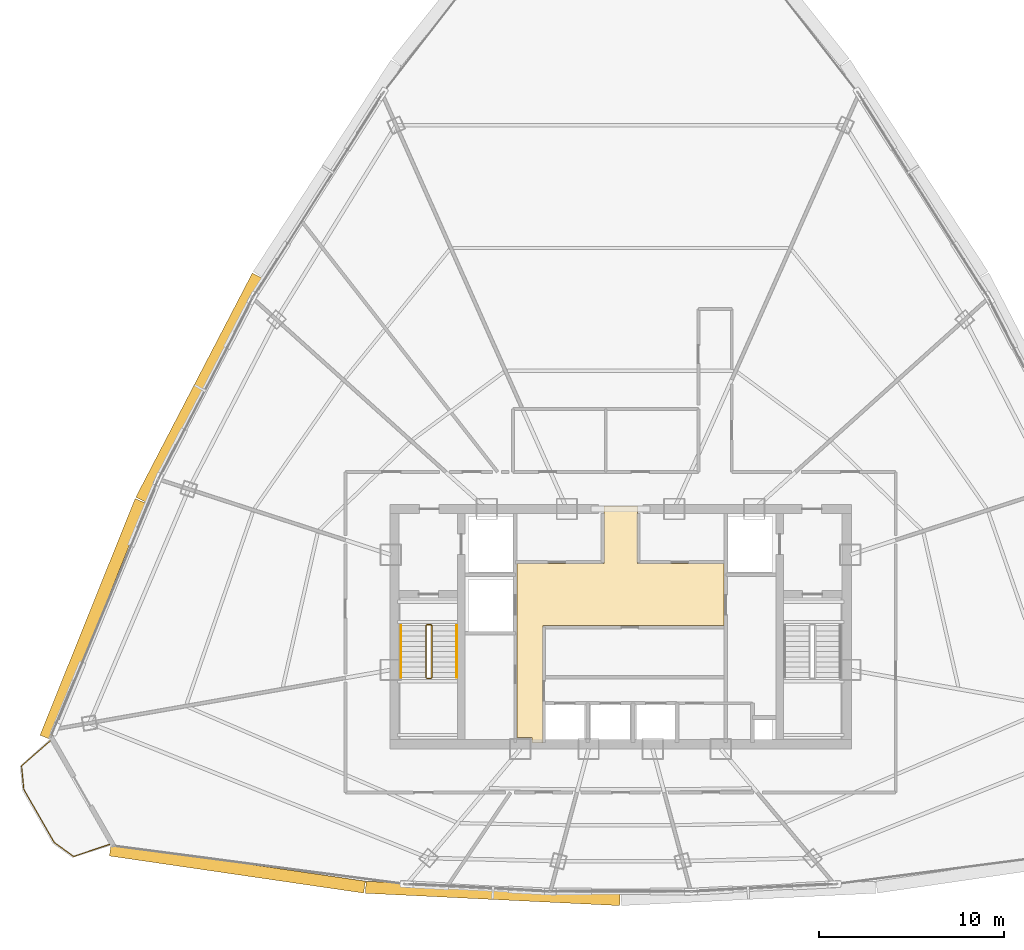
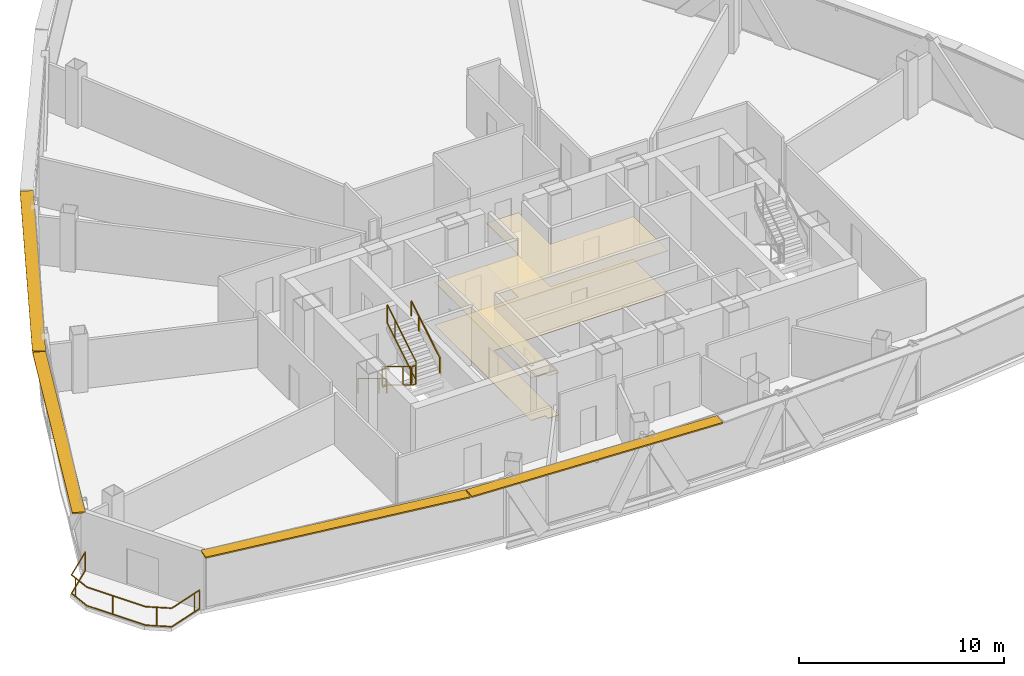
# One storey, part 33 of 35: 7 railings, 4 shading devices, 2 coverings.
"""IFC4 building model written with IfcOpenShell, lengths in metres."""

from ifc_helpers import new_model, si_unit, direction, frame, origin, origin_2d, place, context, subcontext, project, spatial, polyline, rectangle, outline, extrude, source, transform, mapped, material, layer, layer_set, type_object, element, save


model = new_model("IFC4")

# Units and contexts
model_context = context("Model", 3, precision=1e-05, world=origin(), true_north=direction((0.0, 1.0)))
body_context = subcontext(model_context, "Body", "Model", "MODEL_VIEW")
ifc_project = project(units=[si_unit("LENGTHUNIT", "METRE"), si_unit("AREAUNIT", "SQUARE_METRE"), si_unit("VOLUMEUNIT", "CUBIC_METRE"), si_unit("PLANEANGLEUNIT", "RADIAN"), si_unit("MASSUNIT", "GRAM", prefix="KILO"), si_unit("THERMODYNAMICTEMPERATUREUNIT", "KELVIN"), si_unit("POWERUNIT", "WATT")], contexts=[model_context])

# Site, building, storey
site_placement = place(None, origin())
site = spatial("IfcSite", under=ifc_project, at=site_placement, CompositionType="ELEMENT")
building_placement = place(site_placement, origin())
building = spatial("IfcBuilding", under=site, at=building_placement, Name="Yunzhuo Pagoda Commons", CompositionType="ELEMENT")
storey_placement = place(building_placement, frame((0.0, 0.0, 299.93994140625)))
storey = spatial("IfcBuildingStorey", under=building, at=storey_placement, Name="L75", CompositionType="ELEMENT", Elevation=299.93994140625)

# Coverings
ifc_material_1 = material(Name="Micro-perforated metal baffle ceiling")
ifc_layer_1 = layer(ifc_material_1, 0.034912109375)
ifc_layer_set_1 = layer_set([ifc_layer_1], Name="Micro-perforated metal baffle ceiling")
covering_type_1 = type_object("IfcCoveringType", Name="COV-CL3 Ceiling 35", PredefinedType="CEILING", material=ifc_layer_set_1)
covering_1_placement = place(storey_placement, frame((0.0, 0.0, 2.52001953125)))
element("IfcCovering", 1, at=covering_1_placement, inside=storey, type_object=covering_type_1, Name="L75 lift lobby acoustic ceiling", PredefinedType="CEILING", context=body_context, shape_type="SweptSolid", body=[
    extrude(outline(polyline([(43.207763671875, 27.85009765625), (43.201904296875, 27.864013671875), (43.187744140625, 27.8701171875), (42.39990234375, 27.8701171875), (42.39990234375, 33.89990234375), (42.39990234375, 37.25), (47.10009765625, 37.25), (47.10009765625, 40.35009765625), (48.89990234375, 40.35009765625), (48.89990234375, 37.25), (53.580078125, 37.25), (53.580078125, 33.89990234375), (43.820068359375, 33.89990234375), (43.820068359375, 27.60009765625), (43.207763671875, 27.60009765625), (43.207763671875, 27.85009765625)])), origin(), (0.0, 0.0, 1.0), 0.03515625),
])
ifc_material_2 = material(Name="Resilient acoustic studio flooring")
ifc_layer_2 = layer(ifc_material_2, 0.01806640625)
ifc_layer_set_2 = layer_set([ifc_layer_2], Name="Resilient acoustic studio flooring")
covering_type_2 = type_object("IfcCoveringType", Name="COV-FL3 Flooring 18", PredefinedType="FLOORING", material=ifc_layer_set_2)
covering_2_placement = place(storey_placement, origin())
element("IfcCovering", 2, at=covering_2_placement, inside=storey, type_object=covering_type_2, Name="L75 lift lobby flooring", PredefinedType="FLOORING", context=body_context, shape_type="SweptSolid", body=[
    extrude(outline(polyline([(43.207763671875, 27.85009765625), (43.201904296875, 27.864013671875), (43.187744140625, 27.8701171875), (42.39990234375, 27.8701171875), (42.39990234375, 33.89990234375), (42.39990234375, 37.25), (47.10009765625, 37.25), (47.10009765625, 40.35009765625), (48.89990234375, 40.35009765625), (48.89990234375, 37.25), (53.580078125, 37.25), (53.580078125, 33.89990234375), (43.820068359375, 33.89990234375), (43.820068359375, 27.60009765625), (43.207763671875, 27.60009765625), (43.207763671875, 27.85009765625)])), origin(), (0.0, 0.0, 1.0), 0.01806640625),
])

# Railings
ifc_material_3 = material(Name="Anodized aluminium 6063-T6", Category="aluminium")
railing_type_1 = type_object("IfcRailingType", Name="GR-ST1 Stair Well Guardrail 1150", PredefinedType="GUARDRAIL", material=ifc_material_3)
railing_1_placement = place(storey_placement, frame((37.5, 33.89990234375, 0.169677734375)))
element("IfcRailing", 3, at=railing_1_placement, inside=storey, type_object=railing_type_1, Name="L75 ST1 stair guard 1", PredefinedType="GUARDRAIL", context=body_context, shape_type="SweptSolid", body=[
    extrude(rectangle(XDim=0.048095703125, YDim=0.048095703125, at=origin_2d()), frame((0.0, 0.0, 1.1259765625), z_axis=(0.0, -0.855406155521, 0.517957825596), x_axis=(1.0, 0.0, 0.0)), (0.0, 0.0, 1.0), 3.27294921875),
    extrude(rectangle(XDim=0.048095703125, YDim=0.048095703125, at=origin_2d()), frame((0.0, 0.0, 0.02392578125), z_axis=(0.0, -0.855406155521, 0.517957825596), x_axis=(1.0, 0.0, 0.0)), (0.0, 0.0, 1.0), 3.27294921875),
    extrude(rectangle(XDim=0.0419921875, YDim=0.0419921875, at=origin_2d()), origin(), (0.0, 0.0, 1.0), 1.101806640625),
    extrude(rectangle(XDim=0.0419921875, YDim=0.0419921875, at=origin_2d()), frame((0.0, -2.052978515625, 1.2431640625)), (0.0, 0.0, 1.0), 1.101806640625),
    extrude(rectangle(XDim=0.0419921875, YDim=0.0419921875, at=origin_2d()), frame((0.0, -2.7998046875, 1.6953125)), (0.0, 0.0, 1.0), 1.101806640625),
])
railing_2_placement = place(storey_placement, frame((37.550048828125, 31.050048828125, 1.864990234375)))
element("IfcRailing", 4, at=railing_2_placement, inside=storey, type_object=railing_type_1, Name="L75 ST1 stair guard 2", PredefinedType="GUARDRAIL", context=body_context, shape_type="SweptSolid", body=[
    extrude(rectangle(XDim=0.048095703125, YDim=0.048095703125, at=origin_2d()), frame((0.0, 0.0, 1.1259765625), z_axis=(1.0, 0.0, 0.0), x_axis=(0.0, 1.0, 0.0)), (0.0, 0.0, 1.0), 0.199951171875),
    extrude(rectangle(XDim=0.048095703125, YDim=0.048095703125, at=origin_2d()), frame((0.0, 0.0, 0.02392578125), z_axis=(1.0, 0.0, 0.0), x_axis=(0.0, 1.0, 0.0)), (0.0, 0.0, 1.0), 0.199951171875),
    extrude(rectangle(XDim=0.0419921875, YDim=0.0419921875, at=origin_2d()), origin(), (0.0, 0.0, 1.0), 1.101806640625),
    extrude(rectangle(XDim=0.0419921875, YDim=0.0419921875, at=origin_2d()), frame((0.199951171875, 0.0, 0.0)), (0.0, 0.0, 1.0), 1.101806640625),
])
railing_3_placement = place(storey_placement, frame((37.800048828125, 31.10009765625, 2.03466796875)))
element("IfcRailing", 5, at=railing_3_placement, inside=storey, type_object=railing_type_1, Name="L75 ST1 stair guard 3", PredefinedType="GUARDRAIL", context=body_context, shape_type="SweptSolid", body=[
    extrude(rectangle(XDim=0.048095703125, YDim=0.048095703125, at=origin_2d()), frame((0.0, 0.0, 1.1259765625), z_axis=(0.0, 0.855406155521, 0.517957825596), x_axis=(-1.0, 0.0, 0.0)), (0.0, 0.0, 1.0), 3.27294921875),
    extrude(rectangle(XDim=0.048095703125, YDim=0.048095703125, at=origin_2d()), frame((0.0, 0.0, 0.02392578125), z_axis=(0.0, 0.855406155521, 0.517957825596), x_axis=(-1.0, 0.0, 0.0)), (0.0, 0.0, 1.0), 3.27294921875),
    extrude(rectangle(XDim=0.0419921875, YDim=0.0419921875, at=origin_2d()), origin(), (0.0, 0.0, 1.0), 1.101806640625),
    extrude(rectangle(XDim=0.0419921875, YDim=0.0419921875, at=origin_2d()), frame((0.0, 2.052978515625, 1.2431640625)), (0.0, 0.0, 1.0), 1.101806640625),
    extrude(rectangle(XDim=0.0419921875, YDim=0.0419921875, at=origin_2d()), frame((0.0, 2.7998046875, 1.6953125)), (0.0, 0.0, 1.0), 1.101806640625),
])
railing_4_placement = place(storey_placement, frame((37.550048828125, 33.949951171875, 0.0)))
element("IfcRailing", 6, at=railing_4_placement, inside=storey, type_object=railing_type_1, Name="L75 ST1 stair guard 4", PredefinedType="GUARDRAIL", context=body_context, shape_type="SweptSolid", body=[
    extrude(rectangle(XDim=0.048095703125, YDim=0.048095703125, at=origin_2d()), frame((0.0, 0.0, 1.1259765625), z_axis=(1.0, 0.0, 0.0), x_axis=(0.0, 1.0, 0.0)), (0.0, 0.0, 1.0), 0.199951171875),
    extrude(rectangle(XDim=0.048095703125, YDim=0.048095703125, at=origin_2d()), frame((0.0, 0.0, 0.02392578125), z_axis=(1.0, 0.0, 0.0), x_axis=(0.0, 1.0, 0.0)), (0.0, 0.0, 1.0), 0.199951171875),
    extrude(rectangle(XDim=0.0419921875, YDim=0.0419921875, at=origin_2d()), origin(), (0.0, 0.0, 1.0), 1.101806640625),
    extrude(rectangle(XDim=0.0419921875, YDim=0.0419921875, at=origin_2d()), frame((0.199951171875, 0.0, 0.0)), (0.0, 0.0, 1.0), 1.101806640625),
])
railing_type_2 = type_object("IfcRailingType", Name="HR-ST1 Stair Handrail 900", PredefinedType="HANDRAIL", material=ifc_material_3)
railing_5_placement = place(storey_placement, frame((36.14990234375, 33.89990234375, 0.169677734375)))
element("IfcRailing", 7, at=railing_5_placement, inside=storey, type_object=railing_type_2, Name="L75 ST1 stair handrail 1", PredefinedType="HANDRAIL", context=body_context, shape_type="SweptSolid", body=[
    extrude(rectangle(XDim=0.048095703125, YDim=0.048095703125, at=origin_2d()), frame((0.0, 0.0, 0.8759765625), z_axis=(0.0, -0.855406155521, 0.517957825596), x_axis=(1.0, 0.0, 0.0)), (0.0, 0.0, 1.0), 3.27294921875),
    extrude(rectangle(XDim=0.0419921875, YDim=0.0419921875, at=origin_2d()), origin(), (0.0, 0.0, 1.0), 0.851806640625),
    extrude(rectangle(XDim=0.0419921875, YDim=0.0419921875, at=origin_2d()), frame((0.0, -2.052978515625, 1.2431640625)), (0.0, 0.0, 1.0), 0.851806640625),
    extrude(rectangle(XDim=0.0419921875, YDim=0.0419921875, at=origin_2d()), frame((0.0, -2.7998046875, 1.6953125)), (0.0, 0.0, 1.0), 0.851806640625),
])
railing_6_placement = place(storey_placement, frame((39.14990234375, 31.10009765625, 2.03466796875)))
element("IfcRailing", 8, at=railing_6_placement, inside=storey, type_object=railing_type_2, Name="L75 ST1 stair handrail 2", PredefinedType="HANDRAIL", context=body_context, shape_type="SweptSolid", body=[
    extrude(rectangle(XDim=0.048095703125, YDim=0.048095703125, at=origin_2d()), frame((0.0, 0.0, 0.8759765625), z_axis=(0.0, 0.855406155521, 0.517957825596), x_axis=(-1.0, 0.0, 0.0)), (0.0, 0.0, 1.0), 3.27294921875),
    extrude(rectangle(XDim=0.0419921875, YDim=0.0419921875, at=origin_2d()), origin(), (0.0, 0.0, 1.0), 0.851806640625),
    extrude(rectangle(XDim=0.0419921875, YDim=0.0419921875, at=origin_2d()), frame((0.0, 2.052978515625, 1.2431640625)), (0.0, 0.0, 1.0), 0.851806640625),
    extrude(rectangle(XDim=0.0419921875, YDim=0.0419921875, at=origin_2d()), frame((0.0, 2.7998046875, 1.6953125)), (0.0, 0.0, 1.0), 0.851806640625),
])
railing_type_3 = type_object("IfcRailingType", Name="RL-BAL1 Exterior Terrace & Balcony Balustrade 1150", PredefinedType="BALUSTRADE", material=ifc_material_3)
railing_7_placement = place(storey_placement, frame((17.22509765625, 27.6923828125, 0.0)))
element("IfcRailing", 9, at=railing_7_placement, inside=storey, type_object=railing_type_3, Name="L75 corner balcony balustrade V1", PredefinedType="BALUSTRADE", context=body_context, shape_type="SweptSolid", body=[
    extrude(rectangle(XDim=0.048095703125, YDim=0.048095703125, at=origin_2d()), frame((0.0, 0.0, 1.1259765625), z_axis=(-0.753933830692, -0.656950362614, 0.0), x_axis=(0.656950362614, -0.753933830692, 0.0)), (0.0, 0.0, 1.0), 2.05908203125),
    extrude(rectangle(XDim=0.048095703125, YDim=0.048095703125, at=origin_2d()), frame((0.0, 0.0, 0.02392578125), z_axis=(-0.753933830692, -0.656950362614, 0.0), x_axis=(0.656950362614, -0.753933830692, 0.0)), (0.0, 0.0, 1.0), 2.05908203125),
    extrude(rectangle(XDim=0.048095703125, YDim=0.048095703125, at=origin_2d()), frame((-1.552490234375, -1.352783203125, 1.1259765625), z_axis=(0.095929580564, -0.995388123082, 0.0), x_axis=(0.995388123082, 0.095929580564, 0.0)), (0.0, 0.0, 1.0), 1.28515625),
    extrude(rectangle(XDim=0.048095703125, YDim=0.048095703125, at=origin_2d()), frame((-1.552490234375, -1.352783203125, 0.02392578125), z_axis=(0.095929580564, -0.995388123082, 0.0), x_axis=(0.995388123082, 0.095929580564, 0.0)), (0.0, 0.0, 1.0), 1.28515625),
    extrude(rectangle(XDim=0.048095703125, YDim=0.048095703125, at=origin_2d()), frame((-1.42919921875, -2.632080078125, 1.1259765625), z_axis=(0.497913868519, -0.867226486874, 0.0), x_axis=(0.867226486874, 0.497913868519, 0.0)), (0.0, 0.0, 1.0), 3.30126953125),
    extrude(rectangle(XDim=0.048095703125, YDim=0.048095703125, at=origin_2d()), frame((-1.42919921875, -2.632080078125, 0.02392578125), z_axis=(0.497913868519, -0.867226486874, 0.0), x_axis=(0.867226486874, 0.497913868519, 0.0)), (0.0, 0.0, 1.0), 3.30126953125),
    extrude(rectangle(XDim=0.048095703125, YDim=0.048095703125, at=origin_2d()), frame((0.214599609375, -5.4951171875, 1.1259765625), z_axis=(0.811274857139, -0.584664952066, 0.0), x_axis=(0.584664952066, 0.811274857139, 0.0)), (0.0, 0.0, 1.0), 1.285400390625),
    extrude(rectangle(XDim=0.048095703125, YDim=0.048095703125, at=origin_2d()), frame((0.214599609375, -5.4951171875, 0.02392578125), z_axis=(0.811274857139, -0.584664952066, 0.0), x_axis=(0.584664952066, 0.811274857139, 0.0)), (0.0, 0.0, 1.0), 1.285400390625),
    extrude(rectangle(XDim=0.048095703125, YDim=0.048095703125, at=origin_2d()), frame((1.25732421875, -6.24658203125, 1.1259765625), z_axis=(0.947383113487, 0.320101915457, 0.0), x_axis=(-0.320101915457, 0.947383113487, 0.0)), (0.0, 0.0, 1.0), 2.059326171875),
    extrude(rectangle(XDim=0.048095703125, YDim=0.048095703125, at=origin_2d()), frame((1.25732421875, -6.24658203125, 0.02392578125), z_axis=(0.947383113487, 0.320101915457, 0.0), x_axis=(-0.320101915457, 0.947383113487, 0.0)), (0.0, 0.0, 1.0), 2.059326171875),
    extrude(rectangle(XDim=0.0419921875, YDim=0.0419921875, at=origin_2d()), origin(), (0.0, 0.0, 1.0), 1.101806640625),
    extrude(rectangle(XDim=0.0419921875, YDim=0.0419921875, at=origin_2d()), frame((-1.519775390625, -1.692138671875, 0.0)), (0.0, 0.0, 1.0), 1.101806640625),
    extrude(rectangle(XDim=0.0419921875, YDim=0.0419921875, at=origin_2d()), frame((-0.704345703125, -3.894287109375, 0.0)), (0.0, 0.0, 1.0), 1.101806640625),
    extrude(rectangle(XDim=0.0419921875, YDim=0.0419921875, at=origin_2d()), frame((0.664306640625, -5.819091796875, 0.0)), (0.0, 0.0, 1.0), 1.101806640625),
    extrude(rectangle(XDim=0.0419921875, YDim=0.0419921875, at=origin_2d()), frame((2.83837890625, -5.71240234375, 0.0)), (0.0, 0.0, 1.0), 1.101806640625),
    extrude(rectangle(XDim=0.0419921875, YDim=0.0419921875, at=origin_2d()), frame((3.208251953125, -5.58740234375, 0.0)), (0.0, 0.0, 1.0), 1.101806640625),
])

# Shading devices
ifc_layer_3 = layer(ifc_material_3, 0.080078125)
ifc_layer_set_3 = layer_set([ifc_layer_3], Name="Anodized aluminium 6063-T6")
shading_device_type = type_object("IfcShadingDeviceType", Name="SH-SUN1 Pagoda Horizontal Sunshade Eave 650", PredefinedType="USERDEFINED", material=ifc_layer_set_3)
shared_shape_1 = source(origin(), body_context, "Body", "SweptSolid", [
    extrude(rectangle(XDim=13.869384765625, YDim=0.64990234375, at=origin_2d()), origin(), (0.0, 0.0, 1.0), 0.080078125),
])
shading_device_1_placement = place(storey_placement, frame((27.3203125, 20.79345703125, 3.39013671875), z_axis=(0.0, 0.0, 1.0), x_axis=(0.989510666697, -0.144459823108, 0.0)))
element("IfcShadingDevice", 10, at=shading_device_1_placement, inside=storey, type_object=shading_device_type, Name="L75 horizontal pagoda sunshade eave F1.1", ObjectType="SUNSHADE", PredefinedType="USERDEFINED", context=body_context, shape_type="MappedRepresentation", body=[
    mapped(shared_shape_1, transform((0.0, 0.0, 0.0), scale=1.0)),
])
shared_shape_2 = source(origin(), body_context, "Body", "SweptSolid", [
    extrude(rectangle(XDim=13.73974609375, YDim=0.64990234375, at=origin_2d()), origin(), (0.0, 0.0, 1.0), 0.080078125),
])
shading_device_2_placement = place(storey_placement, frame((41.106689453125, 19.45166015625, 3.39013671875), z_axis=(0.0, 0.0, 1.0), x_axis=(0.998818043775, -0.04860571396, 0.0)))
element("IfcShadingDevice", 11, at=shading_device_2_placement, inside=storey, type_object=shading_device_type, Name="L75 horizontal pagoda sunshade eave F1.2", ObjectType="SUNSHADE", PredefinedType="USERDEFINED", context=body_context, shape_type="MappedRepresentation", body=[
    mapped(shared_shape_2, transform((0.0, 0.0, 0.0), scale=1.0)),
])
shared_shape_3 = source(origin(), body_context, "Body", "SweptSolid", [
    extrude(rectangle(XDim=13.7578125, YDim=0.64990234375, at=origin_2d()), origin(), (0.0, 0.0, 1.0), 0.080078125),
])
shading_device_3_placement = place(storey_placement, frame((19.535888671875, 34.252197265625, 3.39013671875), z_axis=(0.0, 0.0, 1.0), x_axis=(-0.372987782576, -0.927836253899, 0.0)))
element("IfcShadingDevice", 12, at=shading_device_3_placement, inside=storey, type_object=shading_device_type, Name="L75 horizontal pagoda sunshade eave F3.4", ObjectType="SUNSHADE", PredefinedType="USERDEFINED", context=body_context, shape_type="MappedRepresentation", body=[
    mapped(shared_shape_3, transform((0.0, 0.0, 0.0), scale=1.0)),
])
shared_shape_4 = source(origin(), body_context, "Body", "SweptSolid", [
    extrude(rectangle(XDim=13.627197265625, YDim=0.64990234375, at=origin_2d()), origin(), (0.0, 0.0, 1.0), 0.080078125),
])
shading_device_4_placement = place(storey_placement, frame((25.2705078125, 46.73779296875, 3.39013671875), z_axis=(0.0, 0.0, 1.0), x_axis=(-0.461206683033, -0.88729273384, 0.0)))
element("IfcShadingDevice", 13, at=shading_device_4_placement, inside=storey, type_object=shading_device_type, Name="L75 horizontal pagoda sunshade eave F3.3", ObjectType="SUNSHADE", PredefinedType="USERDEFINED", context=body_context, shape_type="MappedRepresentation", body=[
    mapped(shared_shape_4, transform((0.0, 0.0, 0.0), scale=1.0)),
])

save(model, "model.ifc")
